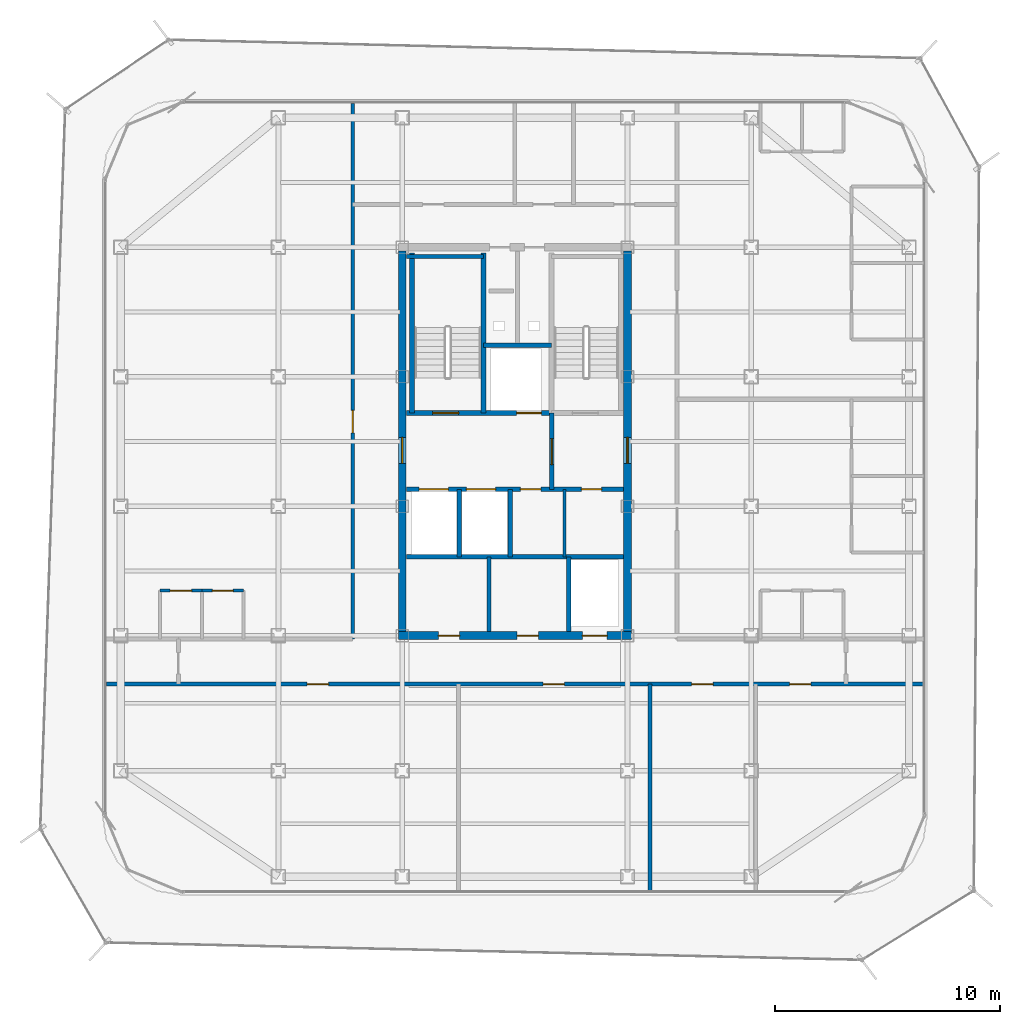
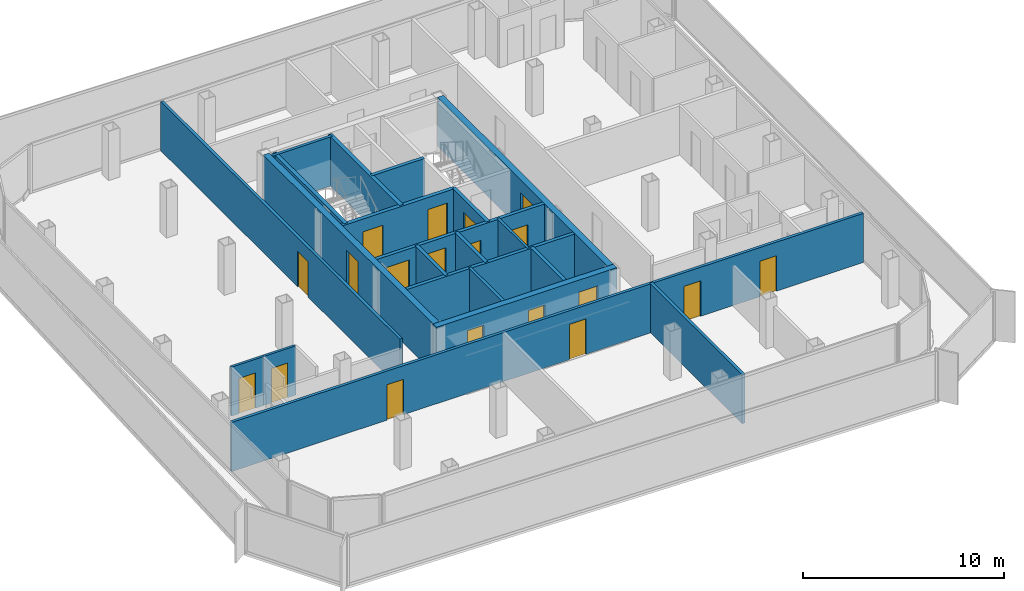
# One storey, part 10 of 15: 21 walls, 19 doors, 19 openings.
"""IFC4 building model written with IfcOpenShell, lengths in metres."""

from ifc_helpers import new_model, si_unit, direction, frame, frame_2d, origin, place, context, subcontext, project, spatial, rectangle, extrude, material, layer, layer_set, type_object, element, fill, save


model = new_model("IFC4")

# Units and contexts
model_context = context("Model", 3, precision=1e-05, world=origin(), true_north=direction((0.0, 1.0)))
body_context = subcontext(model_context, "Body", "Model", "MODEL_VIEW")
ifc_project = project(units=[si_unit("LENGTHUNIT", "METRE"), si_unit("AREAUNIT", "SQUARE_METRE"), si_unit("VOLUMEUNIT", "CUBIC_METRE"), si_unit("PLANEANGLEUNIT", "RADIAN"), si_unit("MASSUNIT", "GRAM", prefix="KILO")], contexts=[model_context])

# Site, building, storey
site_placement = place(None, origin())
site = spatial("IfcSite", under=ifc_project, at=site_placement, CompositionType="ELEMENT")
building_placement = place(site_placement, origin())
building = spatial("IfcBuilding", under=site, at=building_placement, Name="Kolveth Station Tower", CompositionType="ELEMENT")
storey_placement = place(building_placement, frame((0.0, 0.0, 264.89990234375)))
storey = spatial("IfcBuildingStorey", under=building, at=storey_placement, Name="L76", CompositionType="ELEMENT", Elevation=264.89990234375)

# Wall, openings, doors
ifc_material_1 = material(Name="Concrete C50/60", Category="concrete")
ifc_layer_1 = layer(ifc_material_1, 0.35009765625)
ifc_layer_set_1 = layer_set([ifc_layer_1], Name="Concrete C50/60")
wall_type_1 = type_object("IfcWallType", Name="Wall_CW-350", PredefinedType="SHEAR", material=ifc_layer_set_1)
wall_1_placement = place(storey_placement, frame((18.324951171875, 11.5, 0.0), z_axis=(0.0, 0.0, 1.0), x_axis=(1.0, 0.0, 0.0)))
wall_1 = element("IfcWall", 1, at=wall_1_placement, inside=storey, type_object=wall_type_1, Name="L76 Core RC Shear Wall S", PredefinedType="SHEAR", context=body_context, shape_type="SweptSolid", body=[
    extrude(rectangle(XDim=10.35009765625, YDim=0.35009765625, at=frame_2d((5.175048828125, 0.0))), origin(), (0.0, 0.0, 1.0), 2.97998046875),
])
opening_1_placement = place(wall_1_placement, frame((1.77490234375, 0.0, 0.0)))
opening_1 = element("IfcOpeningElement", 2, at=opening_1_placement, cuts=wall_1, Name="Opening ID1", PredefinedType="OPENING", context=body_context, shape_type="SweptSolid", body=[
    extrude(rectangle(XDim=0.949951171875, YDim=2.14990234375, at=frame_2d((0.47509765625, 1.074951171875))), frame((0.0, 0.18505859375, 0.0), z_axis=(0.0, -1.0, 0.0), x_axis=(1.0, 0.0, 0.0)), (0.0, 0.0, 1.0), 0.3701171875),
])
opening_2_placement = place(wall_1_placement, frame((5.27490234375, 0.0, 0.0)))
opening_2 = element("IfcOpeningElement", 3, at=opening_2_placement, cuts=wall_1, Name="Opening ID1", PredefinedType="OPENING", context=body_context, shape_type="SweptSolid", body=[
    extrude(rectangle(XDim=0.949951171875, YDim=2.14990234375, at=frame_2d((0.47509765625, 1.074951171875))), frame((0.0, 0.18505859375, 0.0), z_axis=(0.0, -1.0, 0.0), x_axis=(1.0, 0.0, 0.0)), (0.0, 0.0, 1.0), 0.3701171875),
])
opening_3_placement = place(wall_1_placement, frame((8.175048828125, 0.0, 0.0)))
opening_3 = element("IfcOpeningElement", 4, at=opening_3_placement, cuts=wall_1, Name="Opening LD1", PredefinedType="OPENING", context=body_context, shape_type="SweptSolid", body=[
    extrude(rectangle(XDim=1.10009765625, YDim=2.25, at=frame_2d((0.550048828125, 1.125))), frame((0.0, 0.18505859375, 0.0), z_axis=(0.0, -1.0, 0.0), x_axis=(1.0, 0.0, 0.0)), (0.0, 0.0, 1.0), 0.3701171875),
])
ifc_material_2 = material(Name="Acoustic hardwood leaf and aluminium frame", Category="wood")
door_type_1 = type_object("IfcDoorType", Name="Door_ID1", OperationType="NOTDEFINED", PredefinedType="DOOR", material=ifc_material_2)
door_1_placement = place(opening_1_placement, frame((0.949951171875, 0.0, 0.0), z_axis=(0.0, 0.0, 1.0), x_axis=(-1.0, 0.0, 0.0)))
door_1 = element("IfcDoor", 5, at=door_1_placement, inside=storey, type_object=door_type_1, Name="L76 Laundry Room Door", OperationType="SINGLE_SWING_RIGHT", OverallHeight=2.14990234375, OverallWidth=0.949951171875, PredefinedType="DOOR", context=body_context, shape_type="SweptSolid", body=[
    extrude(rectangle(XDim=0.949951171875, YDim=2.14990234375, at=frame_2d((0.47509765625, 1.074951171875))), frame((0.0, 0.02490234375, 0.0), z_axis=(0.0, -1.0, 0.0), x_axis=(1.0, 0.0, 0.0)), (0.0, 0.0, 1.0), 0.050048828125),
])
fill(opening_1, door_1)
door_2_placement = place(opening_2_placement, frame((0.949951171875, 0.0, 0.0), z_axis=(0.0, 0.0, 1.0), x_axis=(-1.0, 0.0, 0.0)))
door_2 = element("IfcDoor", 6, at=door_2_placement, inside=storey, type_object=door_type_1, Name="L76 Parcel Room Door", OperationType="SINGLE_SWING_LEFT", OverallHeight=2.14990234375, OverallWidth=0.949951171875, PredefinedType="DOOR", context=body_context, shape_type="SweptSolid", body=[
    extrude(rectangle(XDim=0.949951171875, YDim=2.14990234375, at=frame_2d((0.47509765625, 1.074951171875))), frame((0.0, 0.02490234375, 0.0), z_axis=(0.0, -1.0, 0.0), x_axis=(1.0, 0.0, 0.0)), (0.0, 0.0, 1.0), 0.050048828125),
])
fill(opening_2, door_2)
ifc_material_3 = material(Name="Brushed stainless steel sliding landing doors", Category="steel")
door_type_2 = type_object("IfcDoorType", Name="Door_LD1", OperationType="NOTDEFINED", PredefinedType="DOOR", material=ifc_material_3)
door_3_placement = place(opening_3_placement, frame((1.10009765625, 0.0, 0.0), z_axis=(0.0, 0.0, 1.0), x_axis=(-1.0, 0.0, 0.0)))
door_3 = element("IfcDoor", 7, at=door_3_placement, inside=storey, type_object=door_type_2, Name="L76 Lift PH1 Landing Door", OperationType="DOUBLE_DOOR_SLIDING", OverallHeight=2.25, OverallWidth=1.10009765625, PredefinedType="DOOR", context=body_context, shape_type="SweptSolid", body=[
    extrude(rectangle(XDim=1.10009765625, YDim=2.25, at=frame_2d((0.550048828125, 1.125))), frame((0.0, 0.02490234375, 0.0), z_axis=(0.0, -1.0, 0.0), x_axis=(1.0, 0.0, 0.0)), (0.0, 0.0, 1.0), 0.050048828125),
])
fill(opening_3, door_3)

# Wall, opening, door
wall_2_placement = place(storey_placement, frame((18.5, 11.675048828125, 0.0), z_axis=(0.0, 0.0, 1.0), x_axis=(0.0, 1.0, 0.0)))
wall_2 = element("IfcWall", 8, at=wall_2_placement, inside=storey, type_object=wall_type_1, Name="L76 Core RC Shear Wall W", PredefinedType="SHEAR", context=body_context, shape_type="SweptSolid", body=[
    extrude(rectangle(XDim=16.89990234375, YDim=0.35009765625, at=frame_2d((8.449951171875, 0.0))), origin(), (0.0, 0.0, 1.0), 2.97998046875),
])
opening_4_placement = place(wall_2_placement, frame((7.47509765625, 0.0, 0.0)))
opening_4 = element("IfcOpeningElement", 9, at=opening_4_placement, cuts=wall_2, Name="Opening FD1", PredefinedType="OPENING", context=body_context, shape_type="SweptSolid", body=[
    extrude(rectangle(XDim=1.14990234375, YDim=2.199951171875, at=frame_2d((0.574951171875, 1.10009765625))), frame((0.0, 0.18505859375, 0.0), z_axis=(0.0, -1.0, 0.0), x_axis=(1.0, 0.0, 0.0)), (0.0, 0.0, 1.0), 0.3701171875),
])
ifc_material_4 = material(Name="Fire-rated Steel S355 leaf and frame", Category="steel")
door_type_3 = type_object("IfcDoorType", Name="Door_FD1", OperationType="NOTDEFINED", PredefinedType="DOOR", material=ifc_material_4)
door_4_placement = place(opening_4_placement, frame((1.14990234375, 0.0, 0.0), z_axis=(0.0, 0.0, 1.0), x_axis=(-1.0, 0.0, 0.0)))
door_4 = element("IfcDoor", 10, at=door_4_placement, inside=storey, type_object=door_type_3, Name="L76 West Corridor to Firefighting Lobby Door", OperationType="SINGLE_SWING_LEFT", OverallHeight=2.199951171875, OverallWidth=1.14990234375, PredefinedType="DOOR", context=body_context, shape_type="SweptSolid", body=[
    extrude(rectangle(XDim=1.14990234375, YDim=2.199951171875, at=frame_2d((0.574951171875, 1.10009765625))), frame((0.0, 0.02490234375, 0.0), z_axis=(0.0, -1.0, 0.0), x_axis=(1.0, 0.0, 0.0)), (0.0, 0.0, 1.0), 0.050048828125),
])
fill(opening_4, door_4)

wall_3_placement = place(storey_placement, frame((28.5, 11.675048828125, 0.0), z_axis=(0.0, 0.0, 1.0), x_axis=(0.0, 1.0, 0.0)))
wall_3 = element("IfcWall", 11, at=wall_3_placement, inside=storey, type_object=wall_type_1, Name="L76 Core RC Shear Wall E", PredefinedType="SHEAR", context=body_context, shape_type="SweptSolid", body=[
    extrude(rectangle(XDim=16.89990234375, YDim=0.35009765625, at=frame_2d((8.449951171875, 0.0))), origin(), (0.0, 0.0, 1.0), 2.97998046875),
])
opening_5_placement = place(wall_3_placement, frame((7.47509765625, 0.0, 0.0)))
opening_5 = element("IfcOpeningElement", 12, at=opening_5_placement, cuts=wall_3, Name="Opening FD1", PredefinedType="OPENING", context=body_context, shape_type="SweptSolid", body=[
    extrude(rectangle(XDim=1.14990234375, YDim=2.199951171875, at=frame_2d((0.574951171875, 1.10009765625))), frame((0.0, 0.18505859375, 0.0), z_axis=(0.0, -1.0, 0.0), x_axis=(1.0, 0.0, 0.0)), (0.0, 0.0, 1.0), 0.3701171875),
])
door_5_placement = place(opening_5_placement, origin())
door_5 = element("IfcDoor", 13, at=door_5_placement, inside=storey, type_object=door_type_3, Name="L76 East Corridor to Stair Lobby Door", OperationType="SINGLE_SWING_LEFT", OverallHeight=2.199951171875, OverallWidth=1.14990234375, PredefinedType="DOOR", context=body_context, shape_type="SweptSolid", body=[
    extrude(rectangle(XDim=1.14990234375, YDim=2.199951171875, at=frame_2d((0.574951171875, 1.10009765625))), frame((0.0, 0.02490234375, 0.0), z_axis=(0.0, -1.0, 0.0), x_axis=(1.0, 0.0, 0.0)), (0.0, 0.0, 1.0), 0.050048828125),
])
fill(opening_5, door_5)

# Wall
ifc_material_5 = material(Name="Moisture-resistant gypsum partition")
ifc_layer_2 = layer(ifc_material_5, 0.135009765625)
ifc_layer_set_2 = layer_set([ifc_layer_2], Name="Moisture-resistant gypsum partition")
wall_type_2 = type_object("IfcWallType", Name="Wall_IW-135", PredefinedType="PARTITIONING", material=ifc_layer_set_2)
wall_4_placement = place(storey_placement, frame((25.699951171875, 15.0, 0.0), z_axis=(0.0, 0.0, 1.0), x_axis=(0.0, 1.0, 0.0)))
element("IfcWall", 14, at=wall_4_placement, inside=storey, type_object=wall_type_2, Name="L76 Partition Wall WL-L76-CB-V1", PredefinedType="PARTITIONING", context=body_context, shape_type="SweptSolid", body=[
    extrude(rectangle(XDim=3.0, YDim=0.135009765625, at=frame_2d((1.5, 0.0))), origin(), (0.0, 0.0, 1.0), 2.97998046875),
])

# Wall, opening, door
wall_5_placement = place(storey_placement, frame((7.75, 13.5, 0.0), z_axis=(0.0, 0.0, 1.0), x_axis=(1.0, 0.0, 0.0)))
wall_5 = element("IfcWall", 15, at=wall_5_placement, inside=storey, type_object=wall_type_2, Name="L76 Partition Wall WL-L76-W1-IBHK", PredefinedType="PARTITIONING", context=body_context, shape_type="SweptSolid", body=[
    extrude(rectangle(XDim=1.85009765625, YDim=0.135009765625, at=frame_2d((0.925048828125, 0.0))), origin(), (0.0, 0.0, 1.0), 2.97998046875),
])
opening_6_placement = place(wall_5_placement, frame((0.445068359375, 0.0, 0.0)))
opening_6 = element("IfcOpeningElement", 16, at=opening_6_placement, cuts=wall_5, Name="Opening ID1", PredefinedType="OPENING", context=body_context, shape_type="SweptSolid", body=[
    extrude(rectangle(XDim=0.949951171875, YDim=2.14990234375, at=frame_2d((0.47509765625, 1.074951171875))), frame((0.0, 0.077392578125, 0.0), z_axis=(0.0, -1.0, 0.0), x_axis=(1.0, 0.0, 0.0)), (0.0, 0.0, 1.0), 0.155029296875),
])
door_6_placement = place(opening_6_placement, origin())
door_6 = element("IfcDoor", 17, at=door_6_placement, inside=storey, type_object=door_type_1, Name="Penthouse Flat L76-W1 Kitchen Door", OperationType="SINGLE_SWING_RIGHT", OverallHeight=2.14990234375, OverallWidth=0.949951171875, PredefinedType="DOOR", context=body_context, shape_type="SweptSolid", body=[
    extrude(rectangle(XDim=0.949951171875, YDim=2.14990234375, at=frame_2d((0.47509765625, 1.074951171875))), frame((0.0, 0.02490234375, 0.0), z_axis=(0.0, -1.0, 0.0), x_axis=(1.0, 0.0, 0.0)), (0.0, 0.0, 1.0), 0.050048828125),
])
fill(opening_6, door_6)

wall_6_placement = place(storey_placement, frame((9.60009765625, 13.5, 0.0), z_axis=(0.0, 0.0, 1.0), x_axis=(1.0, 0.0, 0.0)))
wall_6 = element("IfcWall", 18, at=wall_6_placement, inside=storey, type_object=wall_type_2, Name="L76 Partition Wall WL-L76-W1-IBHB", PredefinedType="PARTITIONING", context=body_context, shape_type="SweptSolid", body=[
    extrude(rectangle(XDim=1.849853515625, YDim=0.135009765625, at=frame_2d((0.9248046875, 0.0))), origin(), (0.0, 0.0, 1.0), 2.97998046875),
])
opening_7_placement = place(wall_6_placement, frame((0.465087890625, 0.0, 0.0)))
opening_7 = element("IfcOpeningElement", 19, at=opening_7_placement, cuts=wall_6, Name="Opening ID2", PredefinedType="OPENING", context=body_context, shape_type="SweptSolid", body=[
    extrude(rectangle(XDim=0.919921875, YDim=2.10009765625, at=frame_2d((0.4599609375, 1.050048828125))), frame((0.0, 0.077392578125, 0.0), z_axis=(0.0, -1.0, 0.0), x_axis=(1.0, 0.0, 0.0)), (0.0, 0.0, 1.0), 0.155029296875),
])
ifc_material_6 = material(Name="Moisture-resistant hardwood leaf", Category="wood")
door_type_4 = type_object("IfcDoorType", Name="Door_ID2", OperationType="NOTDEFINED", PredefinedType="DOOR", material=ifc_material_6)
door_7_placement = place(opening_7_placement, origin())
door_7 = element("IfcDoor", 20, at=door_7_placement, inside=storey, type_object=door_type_4, Name="Penthouse Flat L76-W1 Bathroom Door", OperationType="SINGLE_SWING_LEFT", OverallHeight=2.10009765625, OverallWidth=0.919921875, PredefinedType="DOOR", context=body_context, shape_type="SweptSolid", body=[
    extrude(rectangle(XDim=0.919921875, YDim=2.10009765625, at=frame_2d((0.4599609375, 1.050048828125))), frame((0.0, 0.02490234375, 0.0), z_axis=(0.0, -1.0, 0.0), x_axis=(1.0, 0.0, 0.0)), (0.0, 0.0, 1.0), 0.050048828125),
])
fill(opening_7, door_7)

# Walls
ifc_material_7 = material(Name="Acoustic double-stud gypsum partition")
ifc_layer_3 = layer(ifc_material_7, 0.1650390625)
ifc_layer_set_3 = layer_set([ifc_layer_3], Name="Acoustic double-stud gypsum partition")
wall_type_3 = type_object("IfcWallType", Name="Wall_IW-165", PredefinedType="PARTITIONING", material=ifc_layer_set_3)
wall_7_placement = place(storey_placement, frame((18.68505859375, 28.3349609375, 0.0), z_axis=(0.0, 0.0, 1.0), x_axis=(1.0, 0.0, 0.0)))
element("IfcWall", 21, at=wall_7_placement, inside=storey, type_object=wall_type_3, Name="L76 Stair Shaft Wall WL-L76-ST1-N", PredefinedType="PARTITIONING", context=body_context, shape_type="SweptSolid", body=[
    extrude(rectangle(XDim=3.425048828125, YDim=0.1650390625, at=frame_2d((1.71240234375, 0.0))), origin(), (0.0, 0.0, 1.0), 2.97998046875),
])
wall_8_placement = place(storey_placement, frame((22.35009765625, 11.68505859375, 0.0), z_axis=(0.0, 0.0, 1.0), x_axis=(0.0, 1.0, 0.0)))
element("IfcWall", 22, at=wall_8_placement, inside=storey, type_object=wall_type_3, Name="L76 Partition Wall WL-L76-FR-M", PredefinedType="PARTITIONING", context=body_context, shape_type="SweptSolid", body=[
    extrude(rectangle(XDim=3.31494140625, YDim=0.1650390625, at=frame_2d((1.657470703125, 0.0))), origin(), (0.0, 0.0, 1.0), 2.97998046875),
])

# Wall, openings, doors
wall_9_placement = place(storey_placement, frame((5.360107421875, 9.35009765625, 0.0), z_axis=(0.0, 0.0, 1.0), x_axis=(1.0, 0.0, 0.0)))
wall_9 = element("IfcWall", 23, at=wall_9_placement, inside=storey, type_object=wall_type_3, Name="L76 Partition Wall WL-L76-RS", PredefinedType="PARTITIONING", context=body_context, shape_type="SweptSolid", body=[
    extrude(rectangle(XDim=36.27978515625, YDim=0.1650390625, at=frame_2d((18.139892578125, 0.0))), origin(), (0.0, 0.0, 1.0), 2.97998046875),
])
opening_8_placement = place(wall_9_placement, frame((8.919921875, 0.0, 0.0)))
opening_8 = element("IfcOpeningElement", 24, at=opening_8_placement, cuts=wall_9, Name="Opening ID1", PredefinedType="OPENING", context=body_context, shape_type="SweptSolid", body=[
    extrude(rectangle(XDim=0.949951171875, YDim=2.14990234375, at=frame_2d((0.47509765625, 1.074951171875))), frame((0.0, 0.092529296875, 0.0), z_axis=(0.0, -1.0, 0.0), x_axis=(1.0, 0.0, 0.0)), (0.0, 0.0, 1.0), 0.18505859375),
])
opening_9_placement = place(wall_9_placement, frame((19.389892578125, 0.0, 0.0)))
opening_9 = element("IfcOpeningElement", 25, at=opening_9_placement, cuts=wall_9, Name="Opening ID1", PredefinedType="OPENING", context=body_context, shape_type="SweptSolid", body=[
    extrude(rectangle(XDim=0.949951171875, YDim=2.14990234375, at=frame_2d((0.47509765625, 1.074951171875))), frame((0.0, 0.092529296875, 0.0), z_axis=(0.0, -1.0, 0.0), x_axis=(1.0, 0.0, 0.0)), (0.0, 0.0, 1.0), 0.18505859375),
])
opening_10_placement = place(wall_9_placement, frame((25.989990234375, 0.0, 0.0)))
opening_10 = element("IfcOpeningElement", 26, at=opening_10_placement, cuts=wall_9, Name="Opening ID1", PredefinedType="OPENING", context=body_context, shape_type="SweptSolid", body=[
    extrude(rectangle(XDim=0.949951171875, YDim=2.14990234375, at=frame_2d((0.47509765625, 1.074951171875))), frame((0.0, 0.092529296875, 0.0), z_axis=(0.0, -1.0, 0.0), x_axis=(1.0, 0.0, 0.0)), (0.0, 0.0, 1.0), 0.18505859375),
])
opening_11_placement = place(wall_9_placement, frame((30.340087890625, 0.0, 0.0)))
opening_11 = element("IfcOpeningElement", 27, at=opening_11_placement, cuts=wall_9, Name="Opening ID1", PredefinedType="OPENING", context=body_context, shape_type="SweptSolid", body=[
    extrude(rectangle(XDim=0.949951171875, YDim=2.14990234375, at=frame_2d((0.47509765625, 1.074951171875))), frame((0.0, 0.092529296875, 0.0), z_axis=(0.0, -1.0, 0.0), x_axis=(1.0, 0.0, 0.0)), (0.0, 0.0, 1.0), 0.18505859375),
])
door_8_placement = place(opening_8_placement, frame((0.949951171875, 0.0, 0.0), z_axis=(0.0, 0.0, 1.0), x_axis=(-1.0, 0.0, 0.0)))
door_8 = element("IfcDoor", 28, at=door_8_placement, inside=storey, type_object=door_type_1, Name="L76 Sky Club Private Dining Salon Door", OperationType="SINGLE_SWING_RIGHT", OverallHeight=2.14990234375, OverallWidth=0.949951171875, PredefinedType="DOOR", context=body_context, shape_type="SweptSolid", body=[
    extrude(rectangle(XDim=0.949951171875, YDim=2.14990234375, at=frame_2d((0.47509765625, 1.074951171875))), frame((0.0, 0.02490234375, 0.0), z_axis=(0.0, -1.0, 0.0), x_axis=(1.0, 0.0, 0.0)), (0.0, 0.0, 1.0), 0.050048828125),
])
fill(opening_8, door_8)
door_9_placement = place(opening_9_placement, frame((0.949951171875, 0.0, 0.0), z_axis=(0.0, 0.0, 1.0), x_axis=(-1.0, 0.0, 0.0)))
door_9 = element("IfcDoor", 29, at=door_9_placement, inside=storey, type_object=door_type_1, Name="L76 Sky Club Wellness Treatment Room Door", OperationType="SINGLE_SWING_LEFT", OverallHeight=2.14990234375, OverallWidth=0.949951171875, PredefinedType="DOOR", context=body_context, shape_type="SweptSolid", body=[
    extrude(rectangle(XDim=0.949951171875, YDim=2.14990234375, at=frame_2d((0.47509765625, 1.074951171875))), frame((0.0, 0.02490234375, 0.0), z_axis=(0.0, -1.0, 0.0), x_axis=(1.0, 0.0, 0.0)), (0.0, 0.0, 1.0), 0.050048828125),
])
fill(opening_9, door_9)
door_10_placement = place(opening_10_placement, frame((0.949951171875, 0.0, 0.0), z_axis=(0.0, 0.0, 1.0), x_axis=(-1.0, 0.0, 0.0)))
door_10 = element("IfcDoor", 30, at=door_10_placement, inside=storey, type_object=door_type_1, Name="L76 Sky Club Catering Pantry Door", OperationType="SINGLE_SWING_RIGHT", OverallHeight=2.14990234375, OverallWidth=0.949951171875, PredefinedType="DOOR", context=body_context, shape_type="SweptSolid", body=[
    extrude(rectangle(XDim=0.949951171875, YDim=2.14990234375, at=frame_2d((0.47509765625, 1.074951171875))), frame((0.0, 0.02490234375, 0.0), z_axis=(0.0, -1.0, 0.0), x_axis=(1.0, 0.0, 0.0)), (0.0, 0.0, 1.0), 0.050048828125),
])
fill(opening_10, door_10)
door_11_placement = place(opening_11_placement, frame((0.949951171875, 0.0, 0.0), z_axis=(0.0, 0.0, 1.0), x_axis=(-1.0, 0.0, 0.0)))
door_11 = element("IfcDoor", 31, at=door_11_placement, inside=storey, type_object=door_type_1, Name="L76 Residents' Amenity Room Door", OperationType="SINGLE_SWING_LEFT", OverallHeight=2.14990234375, OverallWidth=0.949951171875, PredefinedType="DOOR", context=body_context, shape_type="SweptSolid", body=[
    extrude(rectangle(XDim=0.949951171875, YDim=2.14990234375, at=frame_2d((0.47509765625, 1.074951171875))), frame((0.0, 0.02490234375, 0.0), z_axis=(0.0, -1.0, 0.0), x_axis=(1.0, 0.0, 0.0)), (0.0, 0.0, 1.0), 0.050048828125),
])
fill(opening_11, door_11)

# Wall, opening, door
wall_10_placement = place(storey_placement, frame((16.300048828125, 11.35009765625, 0.0), z_axis=(0.0, 0.0, 1.0), x_axis=(0.0, 1.0, 0.0)))
wall_10 = element("IfcWall", 32, at=wall_10_placement, inside=storey, type_object=wall_type_3, Name="L76 Partition Wall WL-L76-RW", PredefinedType="PARTITIONING", context=body_context, shape_type="SweptSolid", body=[
    extrude(rectangle(XDim=23.789794921875, YDim=0.1650390625, at=frame_2d((11.89501953125, 0.0))), origin(), (0.0, 0.0, 1.0), 2.97998046875),
])
opening_12_placement = place(wall_10_placement, frame((9.14990234375, 0.0, 0.0)))
opening_12 = element("IfcOpeningElement", 33, at=opening_12_placement, cuts=wall_10, Name="Opening FD3", PredefinedType="OPENING", context=body_context, shape_type="SweptSolid", body=[
    extrude(rectangle(XDim=1.0, YDim=2.14990234375, at=frame_2d((0.5, 1.074951171875))), frame((0.0, 0.092529296875, 0.0), z_axis=(0.0, -1.0, 0.0), x_axis=(1.0, 0.0, 0.0)), (0.0, 0.0, 1.0), 0.18505859375),
])
ifc_material_8 = material(Name="Fire-rated hardwood leaf and aluminium frame", Category="wood")
door_type_5 = type_object("IfcDoorType", Name="Door_FD3", OperationType="NOTDEFINED", PredefinedType="DOOR", material=ifc_material_8)
door_12_placement = place(opening_12_placement, origin())
door_12 = element("IfcDoor", 34, at=door_12_placement, inside=storey, type_object=door_type_5, Name="Penthouse Flat L76-W1 Entrance Door", OperationType="SINGLE_SWING_RIGHT", OverallHeight=2.14990234375, OverallWidth=1.0, PredefinedType="DOOR", context=body_context, shape_type="SweptSolid", body=[
    extrude(rectangle(XDim=1.0, YDim=2.14990234375, at=frame_2d((0.5, 1.074951171875))), frame((0.0, 0.02490234375, 0.0), z_axis=(0.0, -1.0, 0.0), x_axis=(1.0, 0.0, 0.0)), (0.0, 0.0, 1.0), 0.050048828125),
])
fill(opening_12, door_12)

# Walls
wall_11_placement = place(storey_placement, frame((29.5, 0.159912109375, 0.0), z_axis=(0.0, 0.0, 1.0), x_axis=(0.0, 1.0, 0.0)))
element("IfcWall", 35, at=wall_11_placement, inside=storey, type_object=wall_type_3, Name="L76 Partition Wall WL-L76-RSA-P2", PredefinedType="PARTITIONING", context=body_context, shape_type="SweptSolid", body=[
    extrude(rectangle(XDim=9.190185546875, YDim=0.1650390625, at=frame_2d((4.59521484375, 0.0))), origin(), (0.0, 0.0, 1.0), 2.97998046875),
])
ifc_material_9 = material(Name="Acoustic fire-rated gypsum blockwork", Category="masonry")
ifc_layer_4 = layer(ifc_material_9, 0.199951171875)
ifc_layer_set_4 = layer_set([ifc_layer_4], Name="Acoustic fire-rated gypsum blockwork")
wall_type_4 = type_object("IfcWallType", Name="Wall_IW-200", PredefinedType="PARTITIONING", material=ifc_layer_set_4)
wall_12_placement = place(storey_placement, frame((22.110107421875, 24.39990234375, 0.0), z_axis=(0.0, 0.0, 1.0), x_axis=(1.0, 0.0, 0.0)))
element("IfcWall", 36, at=wall_12_placement, inside=storey, type_object=wall_type_4, Name="L76 Partition Wall WL-L76-RSR-S", PredefinedType="PARTITIONING", context=body_context, shape_type="SweptSolid", body=[
    extrude(rectangle(XDim=3.019775390625, YDim=0.199951171875, at=frame_2d((1.509765625, 0.0))), origin(), (0.0, 0.0, 1.0), 2.97998046875),
])

# Wall, opening, door
wall_13_placement = place(storey_placement, frame((25.1298828125, 18.0, 0.0), z_axis=(0.0, 0.0, 1.0), x_axis=(0.0, 1.0, 0.0)))
wall_13 = element("IfcWall", 37, at=wall_13_placement, inside=storey, type_object=wall_type_4, Name="L76 Partition Wall WL-L76-FFL-E", PredefinedType="PARTITIONING", context=body_context, shape_type="SweptSolid", body=[
    extrude(rectangle(XDim=3.389892578125, YDim=0.199951171875, at=frame_2d((1.69482421875, 0.0))), origin(), (0.0, 0.0, 1.0), 2.97998046875),
])
opening_13_placement = place(wall_13_placement, frame((1.10009765625, 0.0, 0.0)))
opening_13 = element("IfcOpeningElement", 38, at=opening_13_placement, cuts=wall_13, Name="Opening FD1", PredefinedType="OPENING", context=body_context, shape_type="SweptSolid", body=[
    extrude(rectangle(XDim=1.14990234375, YDim=2.199951171875, at=frame_2d((0.574951171875, 1.10009765625))), frame((0.0, 0.10986328125, 0.0), z_axis=(0.0, -1.0, 0.0), x_axis=(1.0, 0.0, 0.0)), (0.0, 0.0, 1.0), 0.219970703125),
])
door_13_placement = place(opening_13_placement, origin())
door_13 = element("IfcDoor", 39, at=door_13_placement, inside=storey, type_object=door_type_3, Name="L76 Firefighting to Stair Lobby Door", OperationType="SINGLE_SWING_LEFT", OverallHeight=2.199951171875, OverallWidth=1.14990234375, PredefinedType="DOOR", context=body_context, shape_type="SweptSolid", body=[
    extrude(rectangle(XDim=1.14990234375, YDim=2.199951171875, at=frame_2d((0.574951171875, 1.10009765625))), frame((0.0, 0.02490234375, 0.0), z_axis=(0.0, -1.0, 0.0), x_axis=(1.0, 0.0, 0.0)), (0.0, 0.0, 1.0), 0.050048828125),
])
fill(opening_13, door_13)

# Wall, openings, doors
wall_14_placement = place(storey_placement, frame((18.68505859375, 18.0, 0.0), z_axis=(0.0, 0.0, 1.0), x_axis=(1.0, 0.0, 0.0)))
wall_14 = element("IfcWall", 40, at=wall_14_placement, inside=storey, type_object=wall_type_4, Name="L76 Partition Wall WL-L76-FFL-S", PredefinedType="PARTITIONING", context=body_context, shape_type="SweptSolid", body=[
    extrude(rectangle(XDim=9.6298828125, YDim=0.199951171875, at=frame_2d((4.81494140625, 0.0))), origin(), (0.0, 0.0, 1.0), 2.97998046875),
])
opening_14_placement = place(wall_14_placement, frame((0.56494140625, 0.0, 0.0)))
opening_14 = element("IfcOpeningElement", 41, at=opening_14_placement, cuts=wall_14, Name="Opening LD2", PredefinedType="OPENING", context=body_context, shape_type="SweptSolid", body=[
    extrude(rectangle(XDim=1.300048828125, YDim=2.300048828125, at=frame_2d((0.64990234375, 1.14990234375))), frame((0.0, 0.10986328125, 0.0), z_axis=(0.0, -1.0, 0.0), x_axis=(1.0, 0.0, 0.0)), (0.0, 0.0, 1.0), 0.219970703125),
])
opening_15_placement = place(wall_14_placement, frame((2.6650390625, 0.0, 0.0)))
opening_15 = element("IfcOpeningElement", 42, at=opening_15_placement, cuts=wall_14, Name="Opening LD2", PredefinedType="OPENING", context=body_context, shape_type="SweptSolid", body=[
    extrude(rectangle(XDim=1.300048828125, YDim=2.300048828125, at=frame_2d((0.64990234375, 1.14990234375))), frame((0.0, 0.10986328125, 0.0), z_axis=(0.0, -1.0, 0.0), x_axis=(1.0, 0.0, 0.0)), (0.0, 0.0, 1.0), 0.219970703125),
])
opening_16_placement = place(wall_14_placement, frame((5.06494140625, 0.0, 0.0)))
opening_16 = element("IfcOpeningElement", 43, at=opening_16_placement, cuts=wall_14, Name="Opening RD1", PredefinedType="OPENING", context=body_context, shape_type="SweptSolid", body=[
    extrude(rectangle(XDim=0.89990234375, YDim=2.050048828125, at=frame_2d((0.449951171875, 1.02490234375))), frame((0.0, 0.10986328125, 0.0), z_axis=(0.0, -1.0, 0.0), x_axis=(1.0, 0.0, 0.0)), (0.0, 0.0, 1.0), 0.219970703125),
])
opening_17_placement = place(wall_14_placement, frame((7.764892578125, 0.0, 0.0)))
opening_17 = element("IfcOpeningElement", 44, at=opening_17_placement, cuts=wall_14, Name="Opening RD1", PredefinedType="OPENING", context=body_context, shape_type="SweptSolid", body=[
    extrude(rectangle(XDim=0.89990234375, YDim=2.050048828125, at=frame_2d((0.449951171875, 1.02490234375))), frame((0.0, 0.10986328125, 0.0), z_axis=(0.0, -1.0, 0.0), x_axis=(1.0, 0.0, 0.0)), (0.0, 0.0, 1.0), 0.219970703125),
])
ifc_material_10 = material(Name="Firefighting stainless steel sliding landing doors", Category="steel")
door_type_6 = type_object("IfcDoorType", Name="Door_LD2", OperationType="NOTDEFINED", PredefinedType="DOOR", material=ifc_material_10)
door_14_placement = place(opening_14_placement, origin())
door_14 = element("IfcDoor", 45, at=door_14_placement, inside=storey, type_object=door_type_6, Name="L76 Firefighting Lift FF1 Landing Door", OperationType="DOUBLE_DOOR_SLIDING", OverallHeight=2.300048828125, OverallWidth=1.300048828125, PredefinedType="DOOR", context=body_context, shape_type="SweptSolid", body=[
    extrude(rectangle(XDim=1.300048828125, YDim=2.300048828125, at=frame_2d((0.64990234375, 1.14990234375))), frame((0.0, 0.02490234375, 0.0), z_axis=(0.0, -1.0, 0.0), x_axis=(1.0, 0.0, 0.0)), (0.0, 0.0, 1.0), 0.050048828125),
])
fill(opening_14, door_14)
door_15_placement = place(opening_15_placement, origin())
door_15 = element("IfcDoor", 46, at=door_15_placement, inside=storey, type_object=door_type_6, Name="L76 Firefighting Lift FF2 Landing Door", OperationType="DOUBLE_DOOR_SLIDING", OverallHeight=2.300048828125, OverallWidth=1.300048828125, PredefinedType="DOOR", context=body_context, shape_type="SweptSolid", body=[
    extrude(rectangle(XDim=1.300048828125, YDim=2.300048828125, at=frame_2d((0.64990234375, 1.14990234375))), frame((0.0, 0.02490234375, 0.0), z_axis=(0.0, -1.0, 0.0), x_axis=(1.0, 0.0, 0.0)), (0.0, 0.0, 1.0), 0.050048828125),
])
fill(opening_15, door_15)
ifc_material_11 = material(Name="Fire-rated Steel S355 riser access leaf", Category="steel")
door_type_7 = type_object("IfcDoorType", Name="Door_RD1", OperationType="NOTDEFINED", PredefinedType="DOOR", material=ifc_material_11)
door_16_placement = place(opening_16_placement, frame((0.89990234375, 0.0, 0.0), z_axis=(0.0, 0.0, 1.0), x_axis=(-1.0, 0.0, 0.0)))
door_16 = element("IfcDoor", 47, at=door_16_placement, inside=storey, type_object=door_type_7, Name="L76 Core Accessible WC Door", OperationType="SINGLE_SWING_RIGHT", OverallHeight=2.050048828125, OverallWidth=0.89990234375, PredefinedType="DOOR", context=body_context, shape_type="SweptSolid", body=[
    extrude(rectangle(XDim=0.89990234375, YDim=2.050048828125, at=frame_2d((0.449951171875, 1.02490234375))), frame((0.0, 0.02490234375, 0.0), z_axis=(0.0, -1.0, 0.0), x_axis=(1.0, 0.0, 0.0)), (0.0, 0.0, 1.0), 0.050048828125),
])
fill(opening_16, door_16)
door_17_placement = place(opening_17_placement, frame((0.89990234375, 0.0, 0.0), z_axis=(0.0, 0.0, 1.0), x_axis=(-1.0, 0.0, 0.0)))
door_17 = element("IfcDoor", 48, at=door_17_placement, inside=storey, type_object=door_type_7, Name="L76 Core Cleaner Store Door", OperationType="SINGLE_SWING_LEFT", OverallHeight=2.050048828125, OverallWidth=0.89990234375, PredefinedType="DOOR", context=body_context, shape_type="SweptSolid", body=[
    extrude(rectangle(XDim=0.89990234375, YDim=2.050048828125, at=frame_2d((0.449951171875, 1.02490234375))), frame((0.0, 0.02490234375, 0.0), z_axis=(0.0, -1.0, 0.0), x_axis=(1.0, 0.0, 0.0)), (0.0, 0.0, 1.0), 0.050048828125),
])
fill(opening_17, door_17)

# Walls
for number, where, z_axis, x_axis, name in (
    (49, (21.02001953125, 15.0, 0.0), (0.0, 0.0, 1.0), (0.0, 1.0, 0.0), "L76 Partition Wall WL-L76-FF12"),
    (50, (23.300048828125, 15.0, 0.0), (0.0, 0.0, 1.0), (0.0, 1.0, 0.0), "L76 Partition Wall WL-L76-FF2E"),
):
    element("IfcWall", number, at=place(storey_placement, frame(where, z_axis=z_axis, x_axis=x_axis)), inside=storey, type_object=wall_type_4, Name=name, PredefinedType="PARTITIONING", context=body_context, shape_type="SweptSolid", body=[
        extrude(rectangle(XDim=3.0, YDim=0.199951171875, at=frame_2d((1.5, 0.0))), origin(), (0.0, 0.0, 1.0), 2.97998046875),
    ])
wall_15_placement = place(storey_placement, frame((18.68505859375, 15.0, 0.0), z_axis=(0.0, 0.0, 1.0), x_axis=(1.0, 0.0, 0.0)))
element("IfcWall", 51, at=wall_15_placement, inside=storey, type_object=wall_type_4, Name="L76 Partition Wall WL-L76-BOH-S", PredefinedType="PARTITIONING", context=body_context, shape_type="SweptSolid", body=[
    extrude(rectangle(XDim=9.6298828125, YDim=0.199951171875, at=frame_2d((4.81494140625, 0.0))), origin(), (0.0, 0.0, 1.0), 2.97998046875),
])
wall_16_placement = place(storey_placement, frame((25.89990234375, 11.68505859375, 0.0), z_axis=(0.0, 0.0, 1.0), x_axis=(0.0, 1.0, 0.0)))
element("IfcWall", 52, at=wall_16_placement, inside=storey, type_object=wall_type_4, Name="L76 Partition Wall WL-L76-PMPH", PredefinedType="PARTITIONING", context=body_context, shape_type="SweptSolid", body=[
    extrude(rectangle(XDim=3.31494140625, YDim=0.199951171875, at=frame_2d((1.657470703125, 0.0))), origin(), (0.0, 0.0, 1.0), 2.97998046875),
])
ifc_material_12 = material(Name="Concrete C40/50", Category="concrete")
ifc_layer_5 = layer(ifc_material_12, 0.219970703125)
ifc_layer_set_5 = layer_set([ifc_layer_5], Name="Concrete C40/50")
wall_type_5 = type_object("IfcWallType", Name="Wall_IW-220", PredefinedType="SOLIDWALL", material=ifc_layer_set_5)
for number, where, z_axis, x_axis, name in (
    (53, (18.929931640625, 21.389892578125, 0.0), (0.0, 0.0, 1.0), (0.0, 1.0, 0.0), "L76 Stair Shaft Wall WL-L76-ST1-W"),
    (54, (22.110107421875, 21.389892578125, 0.0), (0.0, 0.0, 1.0), (0.0, 1.0, 0.0), "L76 Stair Shaft Wall WL-L76-ST1-E"),
):
    element("IfcWall", number, at=place(storey_placement, frame(where, z_axis=z_axis, x_axis=x_axis)), inside=storey, type_object=wall_type_5, Name=name, PredefinedType="SOLIDWALL", context=body_context, shape_type="SweptSolid", body=[
        extrude(rectangle(XDim=7.110107421875, YDim=0.219970703125, at=frame_2d((3.55517578125, 0.0))), origin(), (0.0, 0.0, 1.0), 2.97998046875),
    ])

# Wall, openings, doors
wall_17_placement = place(storey_placement, frame((18.68505859375, 21.389892578125, 0.0), z_axis=(0.0, 0.0, 1.0), x_axis=(1.0, 0.0, 0.0)))
wall_17 = element("IfcWall", 55, at=wall_17_placement, inside=storey, type_object=wall_type_5, Name="L76 Stair Shaft Wall WL-L76-ST1-S", PredefinedType="SOLIDWALL", context=body_context, shape_type="SweptSolid", body=[
    extrude(rectangle(XDim=6.44482421875, YDim=0.219970703125, at=frame_2d((3.222412109375, 0.0))), origin(), (0.0, 0.0, 1.0), 2.97998046875),
])
opening_18_placement = place(wall_17_placement, frame((1.1650390625, 0.0, 0.0)))
opening_18 = element("IfcOpeningElement", 56, at=opening_18_placement, cuts=wall_17, Name="Opening FD1", PredefinedType="OPENING", context=body_context, shape_type="SweptSolid", body=[
    extrude(rectangle(XDim=1.14990234375, YDim=2.199951171875, at=frame_2d((0.574951171875, 1.10009765625))), frame((0.0, 0.119873046875, 0.0), z_axis=(0.0, -1.0, 0.0), x_axis=(1.0, 0.0, 0.0)), (0.0, 0.0, 1.0), 0.239990234375),
])
opening_19_placement = place(wall_17_placement, frame((4.89501953125, 0.0, 0.0)))
opening_19 = element("IfcOpeningElement", 57, at=opening_19_placement, cuts=wall_17, Name="Opening LD1", PredefinedType="OPENING", context=body_context, shape_type="SweptSolid", body=[
    extrude(rectangle(XDim=1.10009765625, YDim=2.25, at=frame_2d((0.550048828125, 1.125))), frame((0.0, 0.119873046875, 0.0), z_axis=(0.0, -1.0, 0.0), x_axis=(1.0, 0.0, 0.0)), (0.0, 0.0, 1.0), 0.239990234375),
])
door_18_placement = place(opening_18_placement, frame((1.14990234375, 0.0, 0.0), z_axis=(0.0, 0.0, 1.0), x_axis=(-1.0, 0.0, 0.0)))
door_18 = element("IfcDoor", 58, at=door_18_placement, inside=storey, type_object=door_type_3, Name="L76 Stair ST1 Fire Door", OperationType="SINGLE_SWING_LEFT", OverallHeight=2.199951171875, OverallWidth=1.14990234375, PredefinedType="DOOR", context=body_context, shape_type="SweptSolid", body=[
    extrude(rectangle(XDim=1.14990234375, YDim=2.199951171875, at=frame_2d((0.574951171875, 1.10009765625))), frame((0.0, 0.02490234375, 0.0), z_axis=(0.0, -1.0, 0.0), x_axis=(1.0, 0.0, 0.0)), (0.0, 0.0, 1.0), 0.050048828125),
])
fill(opening_18, door_18)
door_19_placement = place(opening_19_placement, frame((1.10009765625, 0.0, 0.0), z_axis=(0.0, 0.0, 1.0), x_axis=(-1.0, 0.0, 0.0)))
door_19 = element("IfcDoor", 59, at=door_19_placement, inside=storey, type_object=door_type_2, Name="L76 Service Lift SV1 Landing Door", OperationType="DOUBLE_DOOR_SLIDING", OverallHeight=2.25, OverallWidth=1.10009765625, PredefinedType="DOOR", context=body_context, shape_type="SweptSolid", body=[
    extrude(rectangle(XDim=1.10009765625, YDim=2.25, at=frame_2d((0.550048828125, 1.125))), frame((0.0, 0.02490234375, 0.0), z_axis=(0.0, -1.0, 0.0), x_axis=(1.0, 0.0, 0.0)), (0.0, 0.0, 1.0), 0.050048828125),
])
fill(opening_19, door_19)

save(model, "model.ifc")
